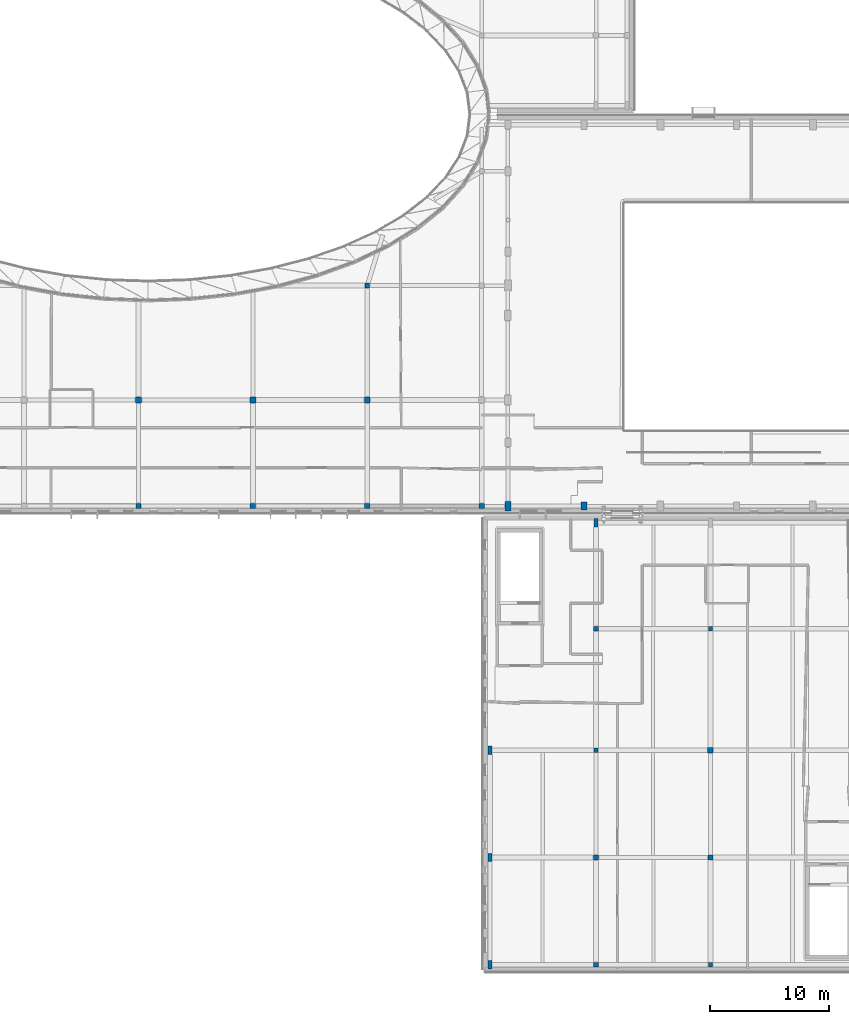
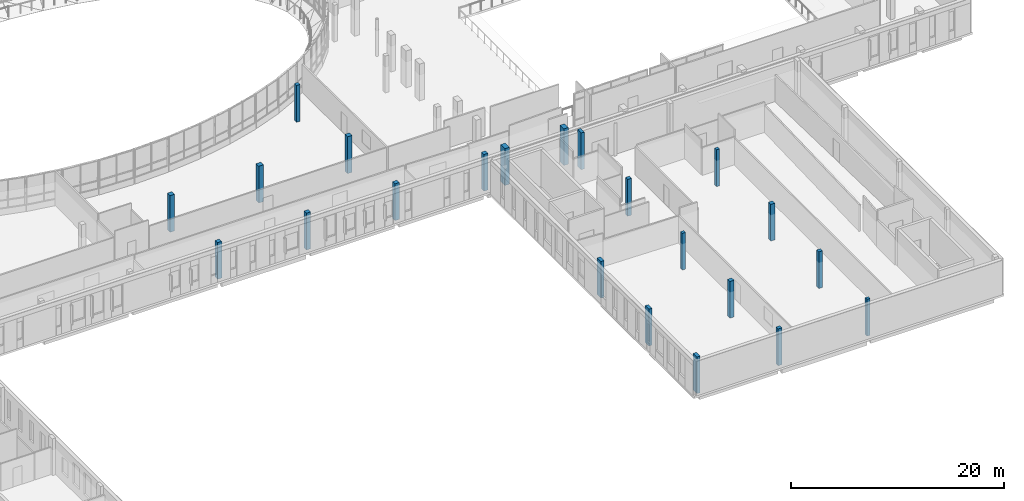
# One storey, part 4 of 84: 22 columns.
"""IFC4 building model written with IfcOpenShell, lengths in metres."""

from ifc_helpers import new_model, si_unit, direction, frame, origin, origin_2d, place, context, subcontext, project, spatial, rectangle, extrude, material, material_profile, profile_set, type_object, element, save


model = new_model("IFC4")

# Units and contexts
model_context = context("Model", 3, precision=1e-05, world=origin(), true_north=direction((0.0, 1.0)))
body_context = subcontext(model_context, "Body", "Model", "MODEL_VIEW")
ifc_project = project(units=[si_unit("LENGTHUNIT", "METRE"), si_unit("AREAUNIT", "SQUARE_METRE"), si_unit("VOLUMEUNIT", "CUBIC_METRE"), si_unit("PLANEANGLEUNIT", "RADIAN"), si_unit("MASSUNIT", "GRAM", prefix="KILO")], contexts=[model_context])

# Site, building, storey
site_placement = place(None, origin())
site = spatial("IfcSite", under=ifc_project, at=site_placement, CompositionType="ELEMENT")
building_placement = place(site_placement, origin())
building = spatial("IfcBuilding", under=site, at=building_placement, Name="Mzevani Central Library", CompositionType="ELEMENT")
storey_placement = place(building_placement, frame((0.0, 0.0, 5.39990234375)))
storey = spatial("IfcBuildingStorey", under=building, at=storey_placement, Name="L01", CompositionType="ELEMENT", Elevation=5.39990234375)

# Columns
ifc_material = material(Name="Concrete C40/50", Category="concrete")
ifc_material_profile_1 = material_profile(ifc_material, rectangle(XDim=0.35009765625, YDim=0.35009765625, at=origin_2d()), Name="RC 350x350")
ifc_profile_set_1 = profile_set([ifc_material_profile_1], Name="Concrete C40/50")
column_type_1 = type_object("IfcColumnType", Name="Column RC 350x350", PredefinedType="COLUMN", material=ifc_profile_set_1)
for number, where, z_axis, x_axis, name in (
    (1, (121.60009765625, 22.60009765625, 0.0), (0.0, 0.0, 1.0), (1.0, 0.0, 0.0), "L01 V6 Column C-01 (216)"),
    (2, (131.199951171875, 4.60009765625, 0.0), (0.0, 0.0, 1.0), (1.0, 0.0, 0.0), "L01 V6 Column C-01 (219)"),
    (3, (131.199951171875, 32.800048828125, 0.0), (0.0, 0.0, 1.0), (1.0, 0.0, 0.0), "L01 V6 Column C-01 (222)"),
):
    element("IfcColumn", number, at=place(storey_placement, frame(where, z_axis=z_axis, x_axis=x_axis)), inside=storey, type_object=column_type_1, Name=name, PredefinedType="COLUMN", context=body_context, shape_type="SweptSolid", body=[
        extrude(rectangle(XDim=0.35009765625, YDim=0.35009765625, at=origin_2d()), origin(), (0.0, 0.0, 1.0), 4.2001953125),
    ])
ifc_material_profile_2 = material_profile(ifc_material, rectangle(XDim=0.39990234375, YDim=0.39990234375, at=origin_2d()), Name="RC 400x400")
ifc_profile_set_2 = profile_set([ifc_material_profile_2], Name="Concrete C40/50")
column_type_2 = type_object("IfcColumnType", Name="Column RC 400x400", PredefinedType="COLUMN", material=ifc_profile_set_2)
for number, where, z_axis, x_axis, name in (
    (4, (102.39990234375, 61.60009765625, 0.0), (0.0, 0.0, 1.0), (1.0, 0.0, 0.0), "L01 V1 Column C-02 (21)"),
    (5, (121.60009765625, 4.60009765625, 0.0), (0.0, 0.0, 1.0), (1.0, 0.0, 0.0), "L01 V6 Column C-02 (214)"),
    (6, (121.60009765625, 32.800048828125, 0.0), (0.0, 0.0, 1.0), (1.0, 0.0, 0.0), "L01 V6 Column C-02 (217)"),
    (7, (131.199951171875, 13.60009765625, 0.0), (0.0, 0.0, 1.0), (1.0, 0.0, 0.0), "L01 V6 Column C-02 (220)"),
):
    element("IfcColumn", number, at=place(storey_placement, frame(where, z_axis=z_axis, x_axis=x_axis)), inside=storey, type_object=column_type_2, Name=name, PredefinedType="COLUMN", context=body_context, shape_type="SweptSolid", body=[
        extrude(rectangle(XDim=0.39990234375, YDim=0.39990234375, at=origin_2d()), origin(), (0.0, 0.0, 1.0), 4.2001953125),
    ])
ifc_material_profile_3 = material_profile(ifc_material, rectangle(XDim=0.449951171875, YDim=0.449951171875, at=origin_2d()), Name="RC 450x450")
ifc_profile_set_3 = profile_set([ifc_material_profile_3], Name="Concrete C40/50")
column_type_3 = type_object("IfcColumnType", Name="Column RC 450x450", PredefinedType="COLUMN", material=ifc_profile_set_3)
for number, where, z_axis, x_axis, name in (
    (8, (83.199951171875, 43.10009765625, 0.0), (0.0, 0.0, 1.0), (1.0, 0.0, 0.0), "L01 V1 Column C-03 (13)"),
    (9, (92.800048828125, 43.10009765625, 0.0), (0.0, 0.0, 1.0), (1.0, 0.0, 0.0), "L01 V1 Column C-03 (16)"),
    (10, (102.39990234375, 43.10009765625, 0.0), (0.0, 0.0, 1.0), (1.0, 0.0, 0.0), "L01 V1 Column C-03 (19)"),
    (11, (112.0, 43.10009765625, 0.0), (0.0, 0.0, 1.0), (1.0, 0.0, 0.0), "L01 V1 Column C-03 (22)"),
    (12, (121.60009765625, 13.60009765625, 0.0), (0.0, 0.0, 1.0), (1.0, 0.0, 0.0), "L01 V6 Column C-03 (215)"),
    (13, (131.199951171875, 22.60009765625, 0.0), (0.0, 0.0, 1.0), (1.0, 0.0, 0.0), "L01 V6 Column C-03 (221)"),
):
    element("IfcColumn", number, at=place(storey_placement, frame(where, z_axis=z_axis, x_axis=x_axis)), inside=storey, type_object=column_type_3, Name=name, PredefinedType="COLUMN", context=body_context, shape_type="SweptSolid", body=[
        extrude(rectangle(XDim=0.449951171875, YDim=0.449951171875, at=origin_2d()), origin(), (0.0, 0.0, 1.0), 4.2001953125),
    ])
ifc_material_profile_4 = material_profile(ifc_material, rectangle(XDim=0.5, YDim=0.5, at=origin_2d()), Name="RC 500x500")
ifc_profile_set_4 = profile_set([ifc_material_profile_4], Name="Concrete C40/50")
column_type_4 = type_object("IfcColumnType", Name="Column RC 500x500", PredefinedType="COLUMN", material=ifc_profile_set_4)
for number, where, z_axis, x_axis, name in (
    (14, (83.199951171875, 52.0, 0.0), (0.0, 0.0, 1.0), (1.0, 0.0, 0.0), "L01 V1 Column C-04 (14)"),
    (15, (92.800048828125, 52.0, 0.0), (0.0, 0.0, 1.0), (1.0, 0.0, 0.0), "L01 V1 Column C-04 (17)"),
    (16, (102.39990234375, 52.0, 0.0), (0.0, 0.0, 1.0), (1.0, 0.0, 0.0), "L01 V1 Column C-04 (20)"),
):
    element("IfcColumn", number, at=place(storey_placement, frame(where, z_axis=z_axis, x_axis=x_axis)), inside=storey, type_object=column_type_4, Name=name, PredefinedType="COLUMN", context=body_context, shape_type="SweptSolid", body=[
        extrude(rectangle(XDim=0.5, YDim=0.5, at=origin_2d()), origin(), (0.0, 0.0, 1.0), 4.2001953125),
    ])
ifc_material_profile_5 = material_profile(ifc_material, rectangle(XDim=0.5, YDim=0.699951171875, at=origin_2d()), Name="RC 500x700")
ifc_profile_set_5 = profile_set([ifc_material_profile_5], Name="Concrete C40/50")
column_type_5 = type_object("IfcColumnType", Name="Column RC 500x700", PredefinedType="COLUMN", material=ifc_profile_set_5)
column_1_placement = place(storey_placement, frame((120.60009765625, 43.10009765625, 0.0), z_axis=(0.0, 0.0, 1.0), x_axis=(1.0, 0.0, 0.0)))
element("IfcColumn", 17, at=column_1_placement, inside=storey, type_object=column_type_5, Name="L01 V1 Column C-14 (38)", PredefinedType="COLUMN", context=body_context, shape_type="SweptSolid", body=[
    extrude(rectangle(XDim=0.5, YDim=0.699951171875, at=origin_2d()), origin(), (0.0, 0.0, 1.0), 4.2001953125),
])
ifc_material_profile_6 = material_profile(ifc_material, rectangle(XDim=0.5, YDim=0.800048828125, at=origin_2d()), Name="RC 500x800")
ifc_profile_set_6 = profile_set([ifc_material_profile_6], Name="Concrete C40/50")
column_type_6 = type_object("IfcColumnType", Name="Column RC 500x800", PredefinedType="COLUMN", material=ifc_profile_set_6)
column_2_placement = place(storey_placement, frame((114.199951171875, 43.10009765625, 0.0), z_axis=(0.0, 0.0, 1.0), x_axis=(1.0, 0.0, 0.0)))
element("IfcColumn", 18, at=column_2_placement, inside=storey, type_object=column_type_6, Name="L01 V1 Column C-15 (27)", PredefinedType="COLUMN", context=body_context, shape_type="SweptSolid", body=[
    extrude(rectangle(XDim=0.5, YDim=0.800048828125, at=origin_2d()), origin(), (0.0, 0.0, 1.0), 4.2001953125),
])
ifc_material_profile_7 = material_profile(ifc_material, rectangle(XDim=0.35009765625, YDim=0.699951171875, at=origin_2d()), Name="RC 350x700")
ifc_profile_set_7 = profile_set([ifc_material_profile_7], Name="Concrete C40/50")
column_type_7 = type_object("IfcColumnType", Name="Joint Twin Column RC 350x700", PredefinedType="COLUMN", material=ifc_profile_set_7)
for number, where, z_axis, x_axis, name in (
    (19, (112.699951171875, 4.60009765625, 0.0), (0.0, 0.0, 1.0), (1.0, 0.0, 0.0), "L01 V6 Column C-18 (211)"),
    (20, (112.699951171875, 13.60009765625, 0.0), (0.0, 0.0, 1.0), (1.0, 0.0, 0.0), "L01 V6 Column C-18 (212)"),
    (21, (112.699951171875, 22.60009765625, 0.0), (0.0, 0.0, 1.0), (1.0, 0.0, 0.0), "L01 V6 Column C-18 (213)"),
    (22, (121.60009765625, 41.699951171875, 0.0), (0.0, 0.0, 1.0), (1.0, 0.0, 0.0), "L01 V6 Column C-18 (218)"),
):
    element("IfcColumn", number, at=place(storey_placement, frame(where, z_axis=z_axis, x_axis=x_axis)), inside=storey, type_object=column_type_7, Name=name, PredefinedType="COLUMN", context=body_context, shape_type="SweptSolid", body=[
        extrude(rectangle(XDim=0.35009765625, YDim=0.699951171875, at=origin_2d()), origin(), (0.0, 0.0, 1.0), 4.2001953125),
    ])

save(model, "model.ifc")
